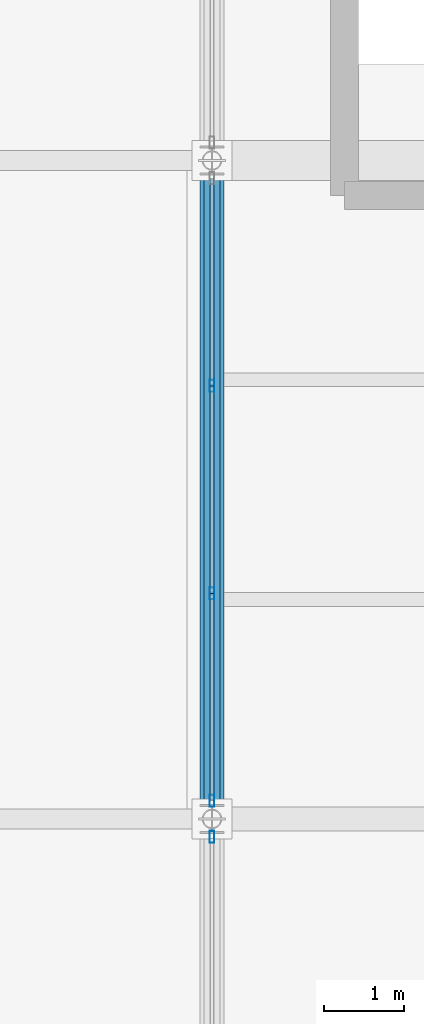
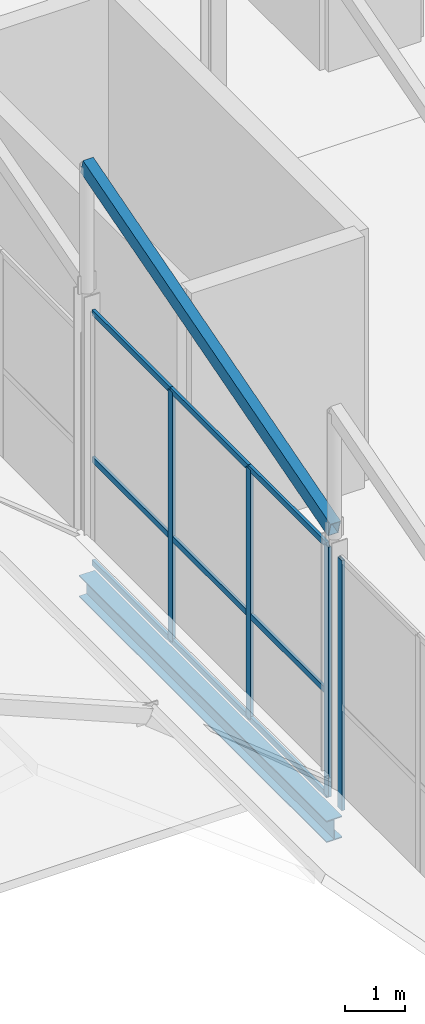
# One storey, part 16 of 141: 14 members, 1 beam, 2 elements without a shape of their own.
"""IFC4 building model written with IfcOpenShell, lengths in metres."""

from ifc_helpers import new_model, si_unit, direction, frame, origin, origin_2d, place, context, subcontext, project, spatial, hollow_rectangle, i_section, extrude, material, layer, layer_set, material_profile, profile_set, type_object, element, aggregate, save


model = new_model("IFC4")

# Units and contexts
model_context = context("Model", 3, precision=1e-05, world=origin(), true_north=direction((0.0, 1.0)))
body_context = subcontext(model_context, "Body", "Model", "MODEL_VIEW")
ifc_project = project(units=[si_unit("LENGTHUNIT", "METRE"), si_unit("AREAUNIT", "SQUARE_METRE"), si_unit("VOLUMEUNIT", "CUBIC_METRE"), si_unit("PLANEANGLEUNIT", "RADIAN"), si_unit("MASSUNIT", "GRAM", prefix="KILO")], contexts=[model_context])

# Site, building, storey
site_placement = place(None, origin())
site = spatial("IfcSite", under=ifc_project, at=site_placement, CompositionType="ELEMENT")
building_placement = place(site_placement, origin())
building = spatial("IfcBuilding", under=site, at=building_placement, Name="Sundgate Opera House", CompositionType="ELEMENT")
storey_placement = place(building_placement, frame((0.0, 0.0, 11.39990234375)))
storey = spatial("IfcBuildingStorey", under=building, at=storey_placement, Name="L02", CompositionType="ELEMENT", Elevation=11.39990234375)

# Beam
ifc_material_1 = material(Name="Steel S355J2", Category="steel")
ifc_material_profile_1 = material_profile(ifc_material_1, i_section(OverallWidth=0.300048828125, OverallDepth=0.43994140625, WebThickness=0.011474609375, FlangeThickness=0.02099609375, at=origin_2d()), Name="HEA 450")
ifc_profile_set_1 = profile_set([ifc_material_profile_1], Name="Steel S355J2")
beam_type = type_object("IfcBeamType", Name="BM-GR-HEA450", PredefinedType="BEAM", material=ifc_profile_set_1)
beam_placement = place(storey_placement, frame((95.39990234375, 16.5, -0.56982421875), z_axis=(0.0, 1.0, 0.0), x_axis=(-1.0, 0.0, 0.0)))
element("IfcBeam", 1, at=beam_placement, inside=storey, type_object=beam_type, Name="L02 Primary N-S Girder B1845", PredefinedType="BEAM", context=body_context, shape_type="SweptSolid", body=[
    extrude(i_section(OverallWidth=0.300048828125, OverallDepth=0.43994140625, WebThickness=0.011474609375, FlangeThickness=0.02099609375, at=origin_2d()), origin(), (0.0, 0.0, 1.0), 8.25),
])

# Curtain wall, member
ifc_material_2 = material(Name="Anodized aluminium and low-iron glass", Category="aluminium")
ifc_layer = layer(ifc_material_2, 0.14990234375)
ifc_layer_set = layer_set([ifc_layer], Name="Anodized aluminium and low-iron glass")
curtain_wall_type = type_object("IfcCurtainWallType", Name="CW-WORKSHOP-DARK", PredefinedType="NOTDEFINED", material=ifc_layer_set)
curtain_wall_1_placement = place(storey_placement, origin())
curtain_wall_1 = element("IfcCurtainWall", 2, at=curtain_wall_1_placement, inside=storey, type_object=curtain_wall_type, Name="L02 Curtain Wall CW162", PredefinedType="NOTDEFINED")
ifc_material_3 = material(Name="Anodized aluminium EN AW-6063", Category="aluminium")
ifc_material_profile_2 = material_profile(ifc_material_3, hollow_rectangle(XDim=0.06005859375, YDim=0.14990234375, WallThickness=0.00390625, at=origin_2d()), Name="CWM 150x60x4")
ifc_profile_set_2 = profile_set([ifc_material_profile_2], Name="Anodized aluminium EN AW-6063")
member_type_1 = type_object("IfcMemberType", Name="CWM-ALU-150x60", PredefinedType="MULLION", material=ifc_profile_set_2)
member_1_placement = place(storey_placement, frame((95.39990234375, 16.27490234375, 0.0), z_axis=(0.0, 0.0, 1.0), x_axis=(1.0, 0.0, 0.0)))
member_1 = element("IfcMember", 3, at=member_1_placement, type_object=member_type_1, Name="CW162 Mullion 1", PredefinedType="MULLION", context=body_context, shape_type="SweptSolid", body=[
    extrude(hollow_rectangle(XDim=0.06005859375, YDim=0.14990234375, WallThickness=0.00390625, at=origin_2d()), origin(), (0.0, 0.0, 1.0), 5.085205078125),
])
aggregate(curtain_wall_1, [member_1])

# Curtain wall, members
curtain_wall_2_placement = place(storey_placement, origin())
curtain_wall_2 = element("IfcCurtainWall", 4, at=curtain_wall_2_placement, inside=storey, type_object=curtain_wall_type, Name="L02 Curtain Wall CW163", PredefinedType="NOTDEFINED")
member_2_placement = place(storey_placement, frame((95.39990234375, 21.925048828125, 0.0), z_axis=(0.0, 0.0, 1.0), x_axis=(1.0, 0.0, 0.0)))
member_2 = element("IfcMember", 5, at=member_2_placement, type_object=member_type_1, Name="CW163 Mullion 2", PredefinedType="MULLION", context=body_context, shape_type="SweptSolid", body=[
    extrude(hollow_rectangle(XDim=0.06005859375, YDim=0.14990234375, WallThickness=0.00390625, at=origin_2d()), origin(), (0.0, 0.0, 1.0), 5.085205078125),
])
member_3_placement = place(storey_placement, frame((95.39990234375, 19.324951171875, 0.0), z_axis=(0.0, 0.0, 1.0), x_axis=(1.0, 0.0, 0.0)))
member_3 = element("IfcMember", 6, at=member_3_placement, type_object=member_type_1, Name="CW163 Mullion 3", PredefinedType="MULLION", context=body_context, shape_type="SweptSolid", body=[
    extrude(hollow_rectangle(XDim=0.06005859375, YDim=0.14990234375, WallThickness=0.00390625, at=origin_2d()), origin(), (0.0, 0.0, 1.0), 5.085205078125),
])
member_4_placement = place(storey_placement, frame((95.39990234375, 16.72509765625, 0.0), z_axis=(0.0, 0.0, 1.0), x_axis=(1.0, 0.0, 0.0)))
member_4 = element("IfcMember", 7, at=member_4_placement, type_object=member_type_1, Name="CW163 Mullion 4", PredefinedType="MULLION", context=body_context, shape_type="SweptSolid", body=[
    extrude(hollow_rectangle(XDim=0.06005859375, YDim=0.14990234375, WallThickness=0.00390625, at=origin_2d()), origin(), (0.0, 0.0, 1.0), 5.085205078125),
])
ifc_material_4 = material(Name="Anodized aluminium EN AW-6063", Category="aluminium")
ifc_material_profile_3 = material_profile(ifc_material_4, hollow_rectangle(XDim=0.054931640625, YDim=0.1201171875, WallThickness=0.00390625, at=origin_2d()), Name="CWT 120x55x4")
ifc_profile_set_3 = profile_set([ifc_material_profile_3], Name="Anodized aluminium EN AW-6063")
member_type_2 = type_object("IfcMemberType", Name="CWT-ALU-120x55", PredefinedType="USERDEFINED", material=ifc_profile_set_3)
member_5_placement = place(storey_placement, frame((95.39990234375, 24.52490234375, 0.0), z_axis=(0.0, -1.0, 0.0), x_axis=(1.0, 0.0, 0.0)))
member_5 = element("IfcMember", 8, at=member_5_placement, type_object=member_type_2, Name="CW163 Transom 1", ObjectType="TRANSOM", PredefinedType="USERDEFINED", context=body_context, shape_type="SweptSolid", body=[
    extrude(hollow_rectangle(XDim=0.054931640625, YDim=0.1201171875, WallThickness=0.00390625, at=origin_2d()), origin(), (0.0, 0.0, 1.0), 2.599853515625),
])
member_6_placement = place(storey_placement, frame((95.39990234375, 24.52490234375, 2.10009765625), z_axis=(0.0, -1.0, 0.0), x_axis=(1.0, 0.0, 0.0)))
member_6 = element("IfcMember", 9, at=member_6_placement, type_object=member_type_2, Name="CW163 Transom 2", ObjectType="TRANSOM", PredefinedType="USERDEFINED", context=body_context, shape_type="SweptSolid", body=[
    extrude(hollow_rectangle(XDim=0.054931640625, YDim=0.1201171875, WallThickness=0.00390625, at=origin_2d()), origin(), (0.0, 0.0, 1.0), 2.599853515625),
])
member_7_placement = place(storey_placement, frame((95.39990234375, 24.52490234375, 5.085205078125), z_axis=(0.0, -1.0, 0.0), x_axis=(1.0, 0.0, 0.0)))
member_7 = element("IfcMember", 10, at=member_7_placement, type_object=member_type_2, Name="CW163 Transom 3", ObjectType="TRANSOM", PredefinedType="USERDEFINED", context=body_context, shape_type="SweptSolid", body=[
    extrude(hollow_rectangle(XDim=0.054931640625, YDim=0.1201171875, WallThickness=0.00390625, at=origin_2d()), origin(), (0.0, 0.0, 1.0), 2.599853515625),
])
member_8_placement = place(storey_placement, frame((95.39990234375, 21.925048828125, 0.0), z_axis=(0.0, -1.0, 0.0), x_axis=(1.0, 0.0, 0.0)))
member_8 = element("IfcMember", 11, at=member_8_placement, type_object=member_type_2, Name="CW163 Transom 4", ObjectType="TRANSOM", PredefinedType="USERDEFINED", context=body_context, shape_type="SweptSolid", body=[
    extrude(hollow_rectangle(XDim=0.054931640625, YDim=0.1201171875, WallThickness=0.00390625, at=origin_2d()), origin(), (0.0, 0.0, 1.0), 2.60009765625),
])
member_9_placement = place(storey_placement, frame((95.39990234375, 21.925048828125, 2.10009765625), z_axis=(0.0, -1.0, 0.0), x_axis=(1.0, 0.0, 0.0)))
member_9 = element("IfcMember", 12, at=member_9_placement, type_object=member_type_2, Name="CW163 Transom 5", ObjectType="TRANSOM", PredefinedType="USERDEFINED", context=body_context, shape_type="SweptSolid", body=[
    extrude(hollow_rectangle(XDim=0.054931640625, YDim=0.1201171875, WallThickness=0.00390625, at=origin_2d()), origin(), (0.0, 0.0, 1.0), 2.60009765625),
])
member_10_placement = place(storey_placement, frame((95.39990234375, 21.925048828125, 5.085205078125), z_axis=(0.0, -1.0, 0.0), x_axis=(1.0, 0.0, 0.0)))
member_10 = element("IfcMember", 13, at=member_10_placement, type_object=member_type_2, Name="CW163 Transom 6", ObjectType="TRANSOM", PredefinedType="USERDEFINED", context=body_context, shape_type="SweptSolid", body=[
    extrude(hollow_rectangle(XDim=0.054931640625, YDim=0.1201171875, WallThickness=0.00390625, at=origin_2d()), origin(), (0.0, 0.0, 1.0), 2.60009765625),
])
member_11_placement = place(storey_placement, frame((95.39990234375, 19.324951171875, 0.0), z_axis=(0.0, -1.0, 0.0), x_axis=(1.0, 0.0, 0.0)))
member_11 = element("IfcMember", 14, at=member_11_placement, type_object=member_type_2, Name="CW163 Transom 7", ObjectType="TRANSOM", PredefinedType="USERDEFINED", context=body_context, shape_type="SweptSolid", body=[
    extrude(hollow_rectangle(XDim=0.054931640625, YDim=0.1201171875, WallThickness=0.00390625, at=origin_2d()), origin(), (0.0, 0.0, 1.0), 2.599853515625),
])
member_12_placement = place(storey_placement, frame((95.39990234375, 19.324951171875, 2.10009765625), z_axis=(0.0, -1.0, 0.0), x_axis=(1.0, 0.0, 0.0)))
member_12 = element("IfcMember", 15, at=member_12_placement, type_object=member_type_2, Name="CW163 Transom 8", ObjectType="TRANSOM", PredefinedType="USERDEFINED", context=body_context, shape_type="SweptSolid", body=[
    extrude(hollow_rectangle(XDim=0.054931640625, YDim=0.1201171875, WallThickness=0.00390625, at=origin_2d()), origin(), (0.0, 0.0, 1.0), 2.599853515625),
])
member_13_placement = place(storey_placement, frame((95.39990234375, 19.324951171875, 5.085205078125), z_axis=(0.0, -1.0, 0.0), x_axis=(1.0, 0.0, 0.0)))
member_13 = element("IfcMember", 16, at=member_13_placement, type_object=member_type_2, Name="CW163 Transom 9", ObjectType="TRANSOM", PredefinedType="USERDEFINED", context=body_context, shape_type="SweptSolid", body=[
    extrude(hollow_rectangle(XDim=0.054931640625, YDim=0.1201171875, WallThickness=0.00390625, at=origin_2d()), origin(), (0.0, 0.0, 1.0), 2.599853515625),
])
aggregate(curtain_wall_2, [member_2, member_3, member_4, member_5, member_6, member_7, member_8, member_9, member_10, member_11, member_12, member_13])

# Member
ifc_material_5 = material(Name="Steel S355J2", Category="steel")
ifc_material_profile_4 = material_profile(ifc_material_5, hollow_rectangle(XDim=0.199951171875, YDim=0.300048828125, WallThickness=0.012451171875, at=origin_2d()), Name="RHS 300x200x12.5")
ifc_profile_set_4 = profile_set([ifc_material_profile_4], Name="Steel S355J2")
member_type_3 = type_object("IfcMemberType", Name="MB-CHORD-RHS300", PredefinedType="CHORD", material=ifc_profile_set_4)
member_14_placement = place(storey_placement, frame((95.39990234375, 16.5, 5.550048828125), z_axis=(0.0, 0.96019072379, 0.279345259398), x_axis=(-1.0, 0.0, 0.0)))
element("IfcMember", 17, at=member_14_placement, inside=storey, type_object=member_type_3, Name="L02 Sawtooth Rafter M0399", PredefinedType="CHORD", context=body_context, shape_type="SweptSolid", body=[
    extrude(hollow_rectangle(XDim=0.199951171875, YDim=0.300048828125, WallThickness=0.012451171875, at=origin_2d()), origin(), (0.0, 0.0, 1.0), 8.592041015625),
])

save(model, "model.ifc")
